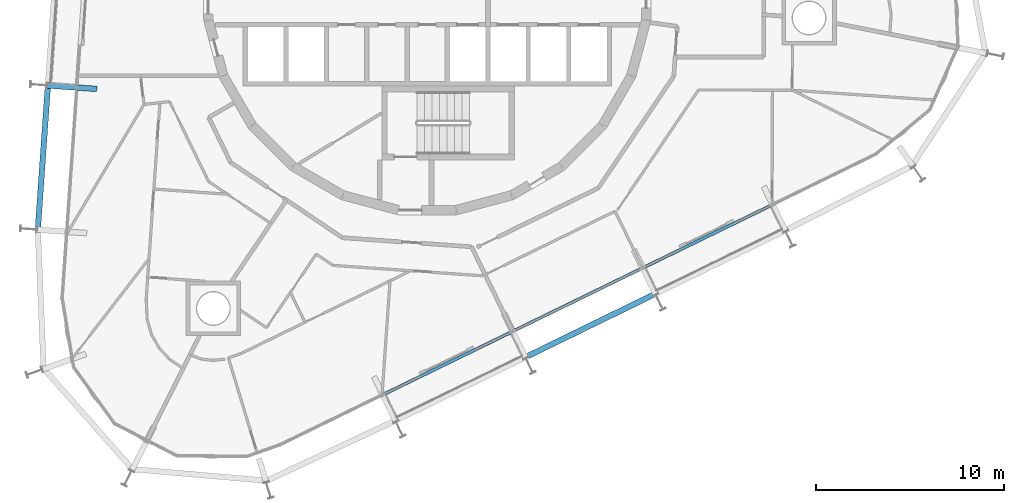
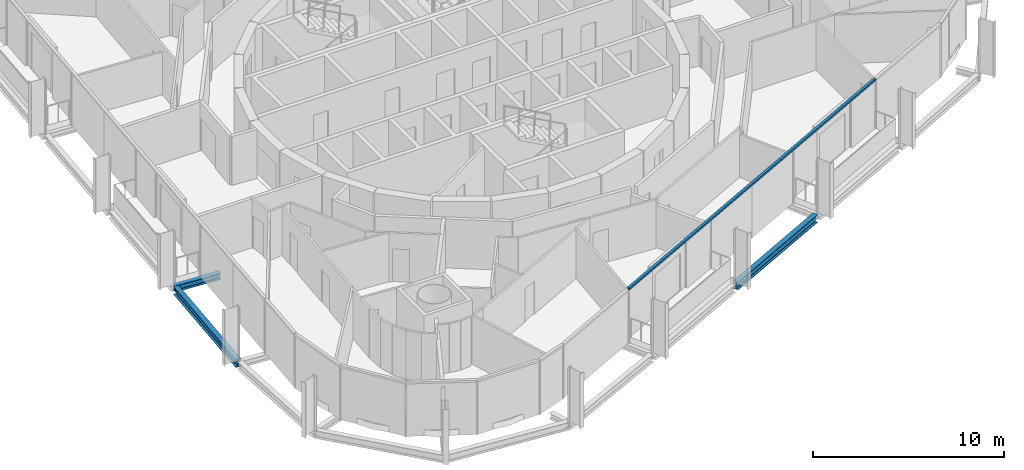
# One storey, part 3 of 18: 3 beams, 1 member, 1 element without a shape of its own.
"""IFC4 building model written with IfcOpenShell, lengths in metres."""

import ifcopenshell
import ifcopenshell.guid

model = None  # the IFC model being written
_history = None  # IfcOwnerHistory: only IFC2X3 demands one
_inside = {}  # id of a spatial element -> (the spatial element, [elements in it])
_under = {}  # id of a project, library or spatial element -> (it, [spatial elements below it])
_declared = {}  # id of a project -> (the project, [libraries it declares])
_typed = {}  # id of a type object -> (the type object, [elements of that type])
_made_of = {}  # id of a material, layer set ... -> (it, [elements and type objects made of it])


def new_model(schema):
    """Start an empty IFC model of exactly this schema.

    Asked for "IFC4X3", IfcOpenShell would pick the latest addendum, in which some entities
    have other attributes; the version numbers below select the first issue.
    IFC2X3 requires an IfcOwnerHistory on every rooted entity: one is made here for all.
    """
    global model, _history
    if schema == "IFC4X3":
        model = ifcopenshell.file(schema_version=(4, 3, 0, 0))
    else:
        model = ifcopenshell.file(schema=schema)
    _inside.clear()
    _under.clear()
    _declared.clear()
    _typed.clear()
    _made_of.clear()
    _history = None
    if model.schema == "IFC2X3":
        org = make("IfcOrganization", Name="unknown")
        user = make(
            "IfcPersonAndOrganization",
            ThePerson=make("IfcPerson", FamilyName="unknown"),
            TheOrganization=org,
        )
        app = make(
            "IfcApplication",
            ApplicationDeveloper=org,
            Version="unknown",
            ApplicationFullName="unknown",
            ApplicationIdentifier="unknown",
        )
        _history = make(
            "IfcOwnerHistory",
            OwningUser=user,
            OwningApplication=app,
            ChangeAction="ADDED",
            CreationDate=0,
        )
    return model


def make(cls, **values):
    """One entity of the class cls with the attributes given. An attribute that is None is left unset."""
    return model.create_entity(
        cls, **{name: value for name, value in values.items() if value is not None}
    )


def rooted(cls, **values):
    """An entity with a GlobalId (a new one), such as an element, a storey or a relation."""
    return make(cls, GlobalId=ifcopenshell.guid.new(), OwnerHistory=_history, **values)


def si_unit(unit_type, name, prefix=None):
    """IfcSIUnit, for example si_unit("LENGTHUNIT", "METRE", prefix="MILLI")."""
    return make("IfcSIUnit", UnitType=unit_type, Prefix=prefix, Name=name)


def assignment(units):
    """IfcUnitAssignment: the units of a project."""
    return None if units is None else make("IfcUnitAssignment", Units=units)


def point(xyz):
    """IfcCartesianPoint."""
    return None if xyz is None else make("IfcCartesianPoint", Coordinates=xyz)


def direction(xyz):
    """IfcDirection."""
    return None if xyz is None else make("IfcDirection", DirectionRatios=xyz)


def frame(location, z_axis=None, x_axis=None):
    """IfcAxis2Placement3D, a coordinate frame: its origin and axes. An axis left out is left unset."""
    return make(
        "IfcAxis2Placement3D",
        Location=point(location),
        Axis=direction(z_axis),
        RefDirection=direction(x_axis),
    )


def frame_2d(location, x_axis=None):
    """IfcAxis2Placement2D, a coordinate frame in the plane: its origin and x axis."""
    return make(
        "IfcAxis2Placement2D", Location=point(location), RefDirection=direction(x_axis)
    )


def origin():
    """The frame at (0, 0, 0) with its axes left unset."""
    return frame((0.0, 0.0, 0.0))


def origin_2d():
    """The frame at (0, 0) in the plane with its x axis left unset."""
    return frame_2d((0.0, 0.0))


def place(relative_to, where):
    """IfcLocalPlacement: puts the frame where relative to a parent placement (None: the world)."""
    return make(
        "IfcLocalPlacement", PlacementRelTo=relative_to, RelativePlacement=where
    )


def context(
    kind, dimensions, precision=None, world=None, true_north=None, identifier=None
):
    """IfcGeometricRepresentationContext, for example the 3D "Model" context."""
    return make(
        "IfcGeometricRepresentationContext",
        ContextIdentifier=identifier,
        ContextType=kind,
        CoordinateSpaceDimension=dimensions,
        Precision=precision,
        WorldCoordinateSystem=world,
        TrueNorth=true_north,
    )


def subcontext(parent, identifier, kind, view, scale=None):
    """IfcGeometricRepresentationSubContext, for example "Body" below "Model"."""
    return make(
        "IfcGeometricRepresentationSubContext",
        ContextIdentifier=identifier,
        ContextType=kind,
        ParentContext=parent,
        TargetScale=scale,
        TargetView=view,
    )


def project(units=None, contexts=None):
    """IfcProject with its units and contexts."""
    return rooted(
        "IfcProject",
        Name="project",
        RepresentationContexts=contexts,
        UnitsInContext=assignment(units),
    )


def spatial(cls, under=None, at=None, **own):
    """A site, building, storey or space (cls), placed at a placement, below another one or the project."""
    s = rooted(cls, ObjectPlacement=at, **own)
    if under is not None:
        _under.setdefault(under.id(), (under, []))[1].append(s)
    return s


def profile(cls, at=None, kind="AREA", **sizes):
    """A parametric profile (cls). Its sizes go by their IFC names, for example OverallWidth=200.0."""
    return make(cls, ProfileType=kind, Position=at, **sizes)


def rectangle(**sizes):
    """IfcRectangleProfileDef."""
    return profile("IfcRectangleProfileDef", **sizes)


def i_section(**sizes):
    """IfcIShapeProfileDef."""
    return profile("IfcIShapeProfileDef", **sizes)


def extrude(swept, where, along, depth):
    """IfcExtrudedAreaSolid: the profile swept, set in the frame where, extruded along a direction by depth."""
    return make(
        "IfcExtrudedAreaSolid",
        SweptArea=swept,
        Position=where,
        ExtrudedDirection=direction(along),
        Depth=depth,
    )


def shape(context_of_items, identifier, shape_type, items):
    """IfcShapeRepresentation: the items that make up one representation, for example the "Body"."""
    return make(
        "IfcShapeRepresentation",
        ContextOfItems=context_of_items,
        RepresentationIdentifier=identifier,
        RepresentationType=shape_type,
        Items=items,
    )


def material(Name=None, Category=None):
    """IfcMaterial."""
    return make("IfcMaterial", Name=Name, Category=Category)


def layer(
    of_material, thickness, ventilated=None, Name=None, Category=None, Priority=None
):
    """IfcMaterialLayer: one layer of a wall or slab, of a material (None: an air gap)."""
    return make(
        "IfcMaterialLayer",
        Material=of_material,
        LayerThickness=thickness,
        IsVentilated=ventilated,
        Name=Name,
        Category=Category,
        Priority=Priority,
    )


def layer_set(layers, Name=None):
    """IfcMaterialLayerSet."""
    return make("IfcMaterialLayerSet", MaterialLayers=layers, LayerSetName=Name)


def material_profile(
    of_material, cross_section, Name=None, Category=None, Priority=None
):
    """IfcMaterialProfile: a cross section and its material."""
    return make(
        "IfcMaterialProfile",
        Name=Name,
        Material=of_material,
        Profile=cross_section,
        Priority=Priority,
        Category=Category,
    )


def profile_set(profiles, Name=None, composite=None):
    """IfcMaterialProfileSet."""
    return make(
        "IfcMaterialProfileSet",
        Name=Name,
        MaterialProfiles=profiles,
        CompositeProfile=composite,
    )


def made_of(thing, what):
    """Note that an element or type object is made of a material, layer set ...; save() writes the relation."""
    if what is not None:
        _made_of.setdefault(what.id(), (what, []))[1].append(thing)
    return thing


def type_object(cls, material=None, **own):
    """A type object (cls), such as IfcWallType, which elements share."""
    return made_of(rooted(cls, **own), material)


def element(
    cls,
    number,
    at=None,
    inside=None,
    cuts=None,
    type_object=None,
    material=None,
    context=None,
    identifier="Body",
    shape_type=None,
    held_by="IfcProductDefinitionShape",
    body=None,
    shapes=None,
    **own,
):
    """One element of the class cls, such as IfcWall. Its Tag is "e" and its number.

    at: its placement. inside: the storey or other place that contains it. cuts: it is an
    opening in that element (IfcRelVoidsElement). A single representation is given by context,
    identifier, shape_type and body (its items); several are given by shapes. held_by: the class
    of the entity that holds the representations. save() writes the other relations.
    """
    e = rooted(cls, Tag="e%d" % number, ObjectPlacement=at, **own)
    if body is not None:
        shapes = [shape(context, identifier, shape_type, body)]
    if shapes is not None:
        e.Representation = make(held_by, Representations=shapes)
    if inside is not None:
        _inside.setdefault(inside.id(), (inside, []))[1].append(e)
    if cuts is not None:
        rooted(
            "IfcRelVoidsElement", RelatingBuildingElement=cuts, RelatedOpeningElement=e
        )
    if type_object is not None:
        _typed.setdefault(type_object.id(), (type_object, []))[1].append(e)
    return made_of(e, material)


def aggregate(whole, parts):
    """IfcRelAggregates: a whole, such as a stair, and the parts it consists of."""
    return rooted("IfcRelAggregates", RelatingObject=whole, RelatedObjects=parts)


def save(model, path):
    """Write the relations noted so far, then the file.

    IfcRelAggregates (storeys below a building ...), IfcRelContainedInSpatialStructure (elements
    in a storey), IfcRelDefinesByType, IfcRelAssociatesMaterial and IfcRelDeclares: one each for
    every whole, place, type object, material and project.
    """
    for whole, parts in _under.values():
        aggregate(whole, parts)
    for where, things in _inside.values():
        rooted(
            "IfcRelContainedInSpatialStructure",
            RelatedElements=things,
            RelatingStructure=where,
        )
    for kind, things in _typed.values():
        rooted("IfcRelDefinesByType", RelatedObjects=things, RelatingType=kind)
    for what, things in _made_of.values():
        rooted("IfcRelAssociatesMaterial", RelatedObjects=things, RelatingMaterial=what)
    for by, libraries in _declared.values():
        rooted("IfcRelDeclares", RelatingContext=by, RelatedDefinitions=libraries)
    model.write(path)


model = new_model("IFC4")

# Units and contexts
model_context = context("Model", 3, precision=1e-05, world=origin(), true_north=direction((0.0, 1.0)))
body_context = subcontext(model_context, "Body", "Model", "MODEL_VIEW")
ifc_project = project(units=[si_unit("LENGTHUNIT", "METRE"), si_unit("AREAUNIT", "SQUARE_METRE"), si_unit("VOLUMEUNIT", "CUBIC_METRE"), si_unit("PLANEANGLEUNIT", "RADIAN"), si_unit("MASSUNIT", "GRAM", prefix="KILO")], contexts=[model_context])

# Site, building, storey
site_placement = place(None, origin())
site = spatial("IfcSite", under=ifc_project, at=site_placement, CompositionType="ELEMENT")
building_placement = place(site_placement, origin())
building = spatial("IfcBuilding", under=site, at=building_placement, Name="Spindle Arch Residences", CompositionType="ELEMENT")
storey_placement = place(building_placement, frame((0.0, 0.0, 195.39990234375)))
storey = spatial("IfcBuildingStorey", under=building, at=storey_placement, Name="L49", CompositionType="ELEMENT", Elevation=195.39990234375)

# Curtain wall, member
ifc_material_1 = material(Name="Aluminium bronze unitised frame with tinted glass", Category="aluminium")
ifc_layer = layer(ifc_material_1, 0.159912109375)
ifc_layer_set = layer_set([ifc_layer], Name="CW-C typical residential unitised wall")
curtain_wall_type = type_object("IfcCurtainWallType", Name="CW-C typical residential unitised wall", PredefinedType="NOTDEFINED", material=ifc_layer_set)
curtain_wall_placement = place(storey_placement, origin())
curtain_wall = element("IfcCurtainWall", 1, at=curtain_wall_placement, inside=storey, type_object=curtain_wall_type, Name="CW-C L49 run 6", PredefinedType="NOTDEFINED")
ifc_material_2 = material(Name="Aluminium bronze anodised transom", Category="aluminium")
ifc_material_profile_1 = material_profile(ifc_material_2, rectangle(XDim=0.159912109375, YDim=0.1201171875, at=origin_2d()), Name="TR 120x160")
ifc_profile_set_1 = profile_set([ifc_material_profile_1], Name="Aluminium bronze anodised transom")
member_type = type_object("IfcMemberType", Name="Bronze transom 120x160", PredefinedType="USERDEFINED", material=ifc_profile_set_1)
member_placement = place(storey_placement, frame((-2.340576171875, -21.45849609375, 3.06005859375), z_axis=(0.898793313451, 0.438372649347, 0.0), x_axis=(-0.438372649347, 0.898793313451, 0.0)))
member = element("IfcMember", 2, at=member_placement, type_object=member_type, Name="CW-C transom 00", ObjectType="TRANSOM", PredefinedType="USERDEFINED", context=body_context, shape_type="SweptSolid", body=[
    extrude(rectangle(XDim=0.159912109375, YDim=0.1201171875, at=origin_2d()), origin(), (0.0, 0.0, 1.0), 23.02099609375),
])
aggregate(curtain_wall, [member])

# Beams
ifc_material_3 = material(Name="Steel S460ML, intumescent coating R 120", Category="steel")
ifc_material_profile_2 = material_profile(ifc_material_3, i_section(OverallWidth=0.300048828125, OverallDepth=0.5, WebThickness=0.014404296875, FlangeThickness=0.028076171875, FilletRadius=0.027099609375, at=origin_2d()), Name="HEB 500")
ifc_profile_set_2 = profile_set([ifc_material_profile_2], Name="Steel S460ML, intumescent coating R 120")
beam_type_1 = type_object("IfcBeamType", Name="Exoskeleton edge beam HEB 500", PredefinedType="BEAM", material=ifc_profile_set_2)
beam_1_placement = place(storey_placement, frame((-20.198974609375, -5.14501953125, -0.6298828125), z_axis=(-0.069725196579, -0.99756623688, 0.0), x_axis=(0.99756623688, -0.069725196579, 0.0)))
element("IfcBeam", 3, at=beam_1_placement, inside=storey, type_object=beam_type_1, Name="Exoskeleton edge beam 16", PredefinedType="BEAM", context=body_context, shape_type="SweptSolid", body=[
    extrude(i_section(OverallWidth=0.300048828125, OverallDepth=0.5, WebThickness=0.014404296875, FlangeThickness=0.028076171875, FilletRadius=0.027099609375, at=origin_2d()), origin(), (0.0, 0.0, 1.0), 7.43359375),
])
beam_2_placement = place(storey_placement, frame((5.3349609375, -19.417236328125, -0.6298828125), z_axis=(0.898791170385, 0.438377043238, 0.0), x_axis=(-0.438377043238, 0.898791170385, 0.0)))
element("IfcBeam", 4, at=beam_2_placement, inside=storey, type_object=beam_type_1, Name="Exoskeleton edge beam 22", PredefinedType="BEAM", context=body_context, shape_type="SweptSolid", body=[
    extrude(i_section(OverallWidth=0.300048828125, OverallDepth=0.5, WebThickness=0.014404296875, FlangeThickness=0.028076171875, FilletRadius=0.027099609375, at=origin_2d()), origin(), (0.0, 0.0, 1.0), 7.433837890625),
])
ifc_material_4 = material(Name="Steel S460ML, intumescent coating R 120", Category="steel")
ifc_material_profile_3 = material_profile(ifc_material_4, i_section(OverallWidth=0.300048828125, OverallDepth=0.389892578125, WebThickness=0.010986328125, FlangeThickness=0.01904296875, FilletRadius=0.027099609375, at=origin_2d()), Name="HEA 400")
ifc_profile_set_3 = profile_set([ifc_material_profile_3], Name="Steel S460ML, intumescent coating R 120")
beam_type_2 = type_object("IfcBeamType", Name="Floor outrigger HEA 400", PredefinedType="BEAM", material=ifc_profile_set_3)
beam_3_placement = place(storey_placement, frame((-20.229736328125, -5.012451171875, -0.574951171875), z_axis=(0.997565124092, -0.069741115528, 0.0), x_axis=(0.069741115528, 0.997565124092, 0.0)))
element("IfcBeam", 5, at=beam_3_placement, inside=storey, type_object=beam_type_2, Name="Floor outrigger 16", PredefinedType="BEAM", context=body_context, shape_type="SweptSolid", body=[
    extrude(i_section(OverallWidth=0.300048828125, OverallDepth=0.389892578125, WebThickness=0.010986328125, FlangeThickness=0.01904296875, FilletRadius=0.027099609375, at=origin_2d()), origin(), (0.0, 0.0, 1.0), 2.64990234375),
])

save(model, "model.ifc")
